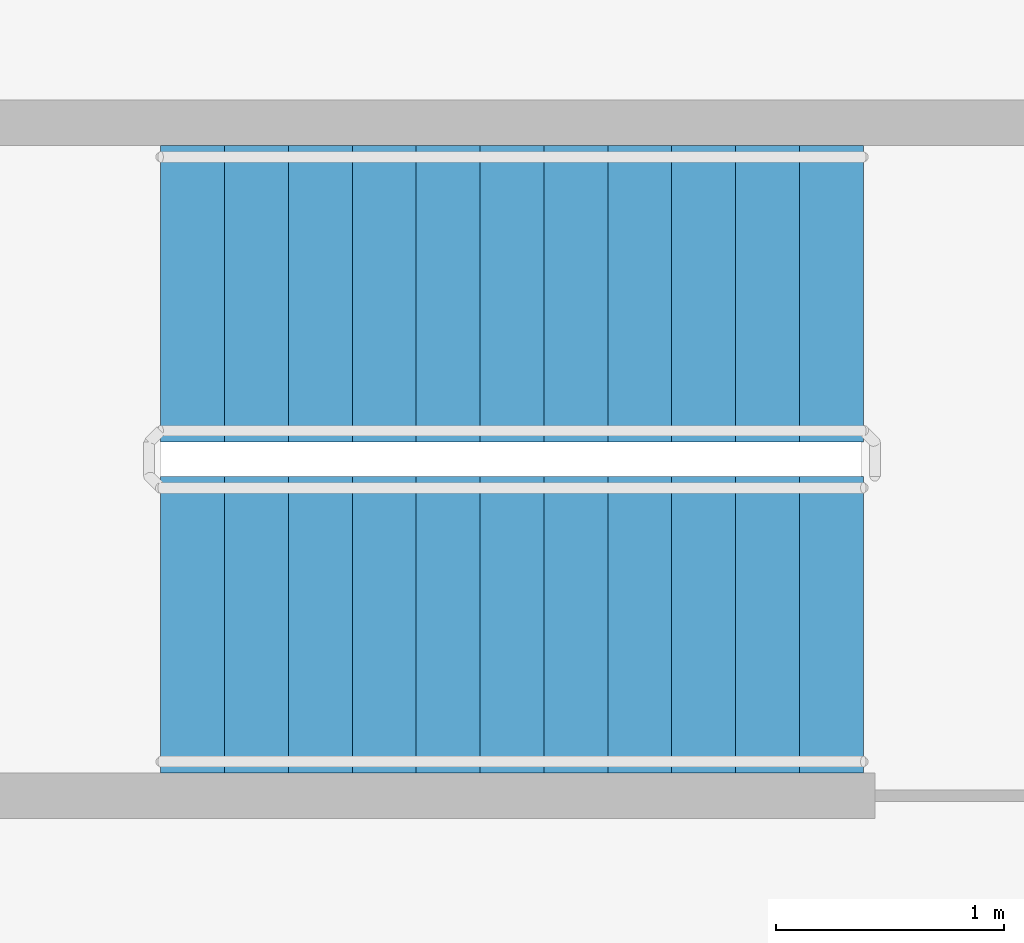
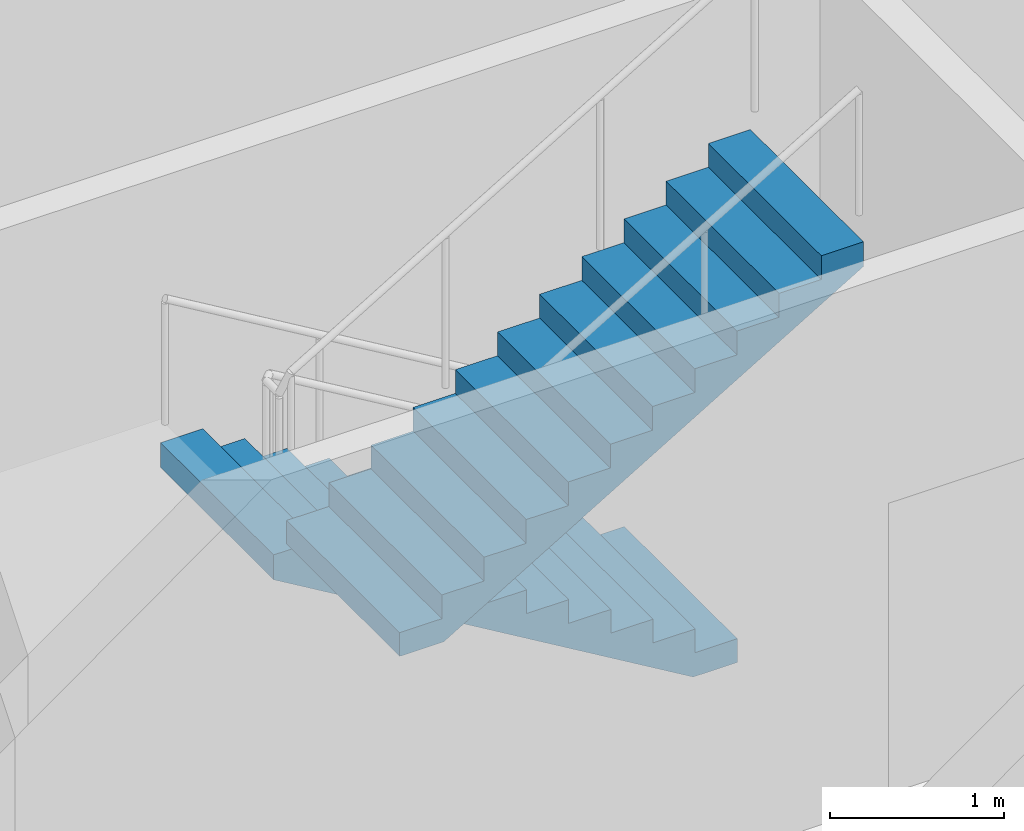
# One storey, part 8 of 9: 2 stair flights, 1 element without a shape of its own.
"""IFC4 building model written with IfcOpenShell, lengths in metres."""

from ifc_helpers import new_model, si_unit, direction, frame, origin, place, context, subcontext, project, spatial, polyline, outline, extrude, material, type_object, element, aggregate, save


model = new_model("IFC4")

# Units and contexts
model_context = context("Model", 3, precision=1e-05, world=origin(), true_north=direction((0.0, 1.0)))
body_context = subcontext(model_context, "Body", "Model", "MODEL_VIEW")
ifc_project = project(units=[si_unit("LENGTHUNIT", "METRE"), si_unit("AREAUNIT", "SQUARE_METRE"), si_unit("VOLUMEUNIT", "CUBIC_METRE"), si_unit("PLANEANGLEUNIT", "RADIAN"), si_unit("MASSUNIT", "GRAM", prefix="KILO")], contexts=[model_context])

# Site, building, storey
site_placement = place(None, origin())
site = spatial("IfcSite", under=ifc_project, at=site_placement, CompositionType="ELEMENT")
building_placement = place(site_placement, origin())
building = spatial("IfcBuilding", under=site, at=building_placement, Name="Corvane Civic Tower", CompositionType="ELEMENT")
storey_placement = place(building_placement, frame((0.0, 0.0, 160.0)))
storey = spatial("IfcBuildingStorey", under=building, at=storey_placement, Name="L37", CompositionType="ELEMENT", Elevation=160.0)

# Stair, stair flights
ifc_material_1 = material(Name="Concrete C40/50", Category="concrete")
stair_type = type_object("IfcStairType", Name="ST-STAIR-HALFTURN", PredefinedType="HALF_TURN_STAIR", material=ifc_material_1)
stair_placement = place(storey_placement, origin())
stair = element("IfcStair", 1, at=stair_placement, inside=storey, type_object=stair_type, Name="L37 Exit stair ST1", PredefinedType="HALF_TURN_STAIR")
ifc_material_2 = material(Name="Concrete C40/50", Category="concrete")
stair_flight_type = type_object("IfcStairFlightType", Name="ST-FLIGHT-RC", PredefinedType="STRAIGHT", material=ifc_material_2)
stair_flight_1_placement = place(storey_placement, frame((8.89990234375, 9.550048828125, 0.0), z_axis=(0.0, 0.0, 1.0), x_axis=(-1.0, 0.0, 0.0)))
stair_flight_1 = element("IfcStairFlight", 2, at=stair_flight_1_placement, type_object=stair_flight_type, Name="ST1 flight 1", NumberOfRisers=12, NumberOfTreads=11, PredefinedType="STRAIGHT", RiserHeight=0.166666667, TreadLength=0.28, context=body_context, shape_type="SweptSolid", body=[
    extrude(outline(polyline([(0.0, 0.0), (0.0, 0.166748046875), (0.280029296875, 0.166748046875), (0.280029296875, 0.333251953125), (0.56005859375, 0.333251953125), (0.56005859375, 0.5), (0.840087890625, 0.5), (0.840087890625, 0.666748046875), (1.1201171875, 0.666748046875), (1.1201171875, 0.833251953125), (1.39990234375, 0.833251953125), (1.39990234375, 1.0), (1.679931640625, 1.0), (1.679931640625, 1.166748046875), (1.9599609375, 1.166748046875), (1.9599609375, 1.333251953125), (2.239990234375, 1.333251953125), (2.239990234375, 1.5), (2.52001953125, 1.5), (2.52001953125, 1.666748046875), (2.800048828125, 1.666748046875), (2.800048828125, 1.833251953125), (3.080078125, 1.833251953125), (3.080078125, 2.0), (3.080078125, 1.658935546875), (0.29296875, 0.0), (0.0, 0.0)])), frame((0.0, 0.64990234375, 0.0), z_axis=(0.0, -1.0, 0.0), x_axis=(1.0, 0.0, 0.0)), (0.0, 0.0, 1.0), 1.300048828125),
])
stair_flight_2_placement = place(storey_placement, frame((5.820068359375, 8.10009765625, 2.0), z_axis=(0.0, 0.0, 1.0), x_axis=(1.0, 0.0, 0.0)))
stair_flight_2 = element("IfcStairFlight", 3, at=stair_flight_2_placement, type_object=stair_flight_type, Name="ST1 flight 2", NumberOfRisers=12, NumberOfTreads=11, PredefinedType="STRAIGHT", RiserHeight=0.166666667, TreadLength=0.28, context=body_context, shape_type="SweptSolid", body=[
    extrude(outline(polyline([(0.0, 0.0), (0.0, 0.166748046875), (0.280029296875, 0.166748046875), (0.280029296875, 0.333251953125), (0.56005859375, 0.333251953125), (0.56005859375, 0.5), (0.840087890625, 0.5), (0.840087890625, 0.666748046875), (1.1201171875, 0.666748046875), (1.1201171875, 0.833251953125), (1.39990234375, 0.833251953125), (1.39990234375, 1.0), (1.679931640625, 1.0), (1.679931640625, 1.166748046875), (1.9599609375, 1.166748046875), (1.9599609375, 1.333251953125), (2.239990234375, 1.333251953125), (2.239990234375, 1.5), (2.52001953125, 1.5), (2.52001953125, 1.666748046875), (2.800048828125, 1.666748046875), (2.800048828125, 1.833251953125), (3.080078125, 1.833251953125), (3.080078125, 2.0), (3.080078125, 1.658935546875), (0.29296875, 0.0), (0.0, 0.0)])), frame((0.0, 0.64990234375, 0.0), z_axis=(0.0, -1.0, 0.0), x_axis=(1.0, 0.0, 0.0)), (0.0, 0.0, 1.0), 1.300048828125),
])
aggregate(stair, [stair_flight_1, stair_flight_2])

save(model, "model.ifc")
